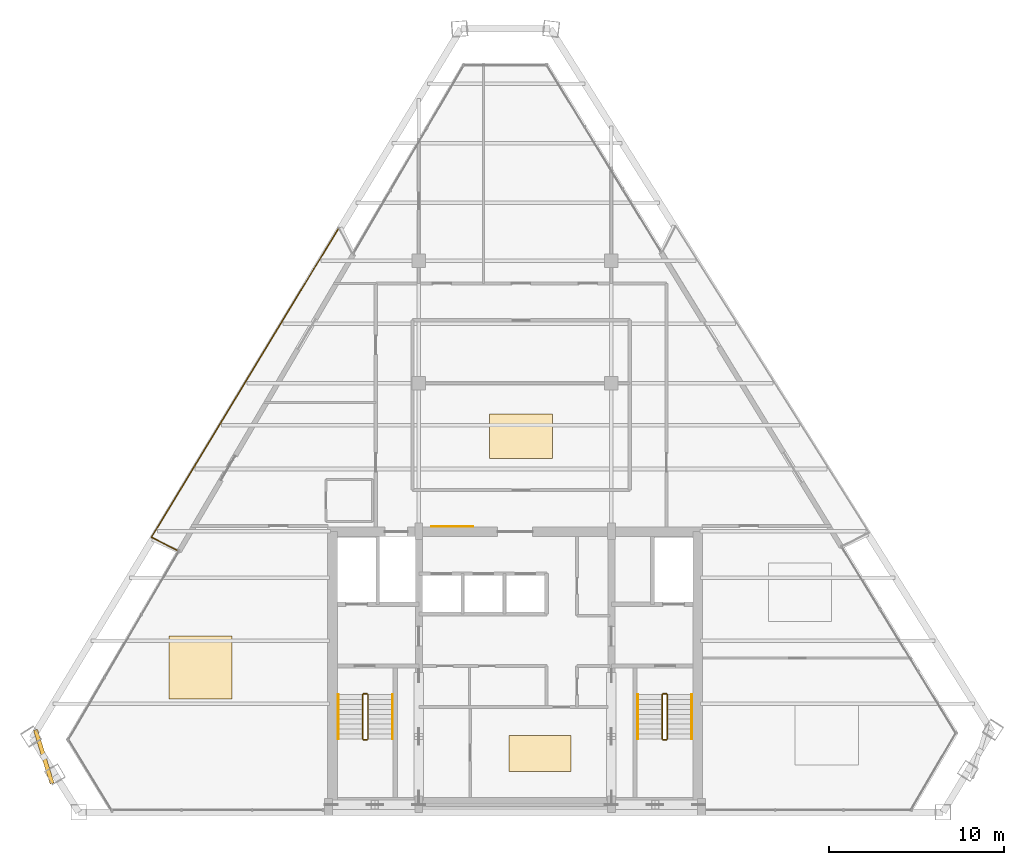
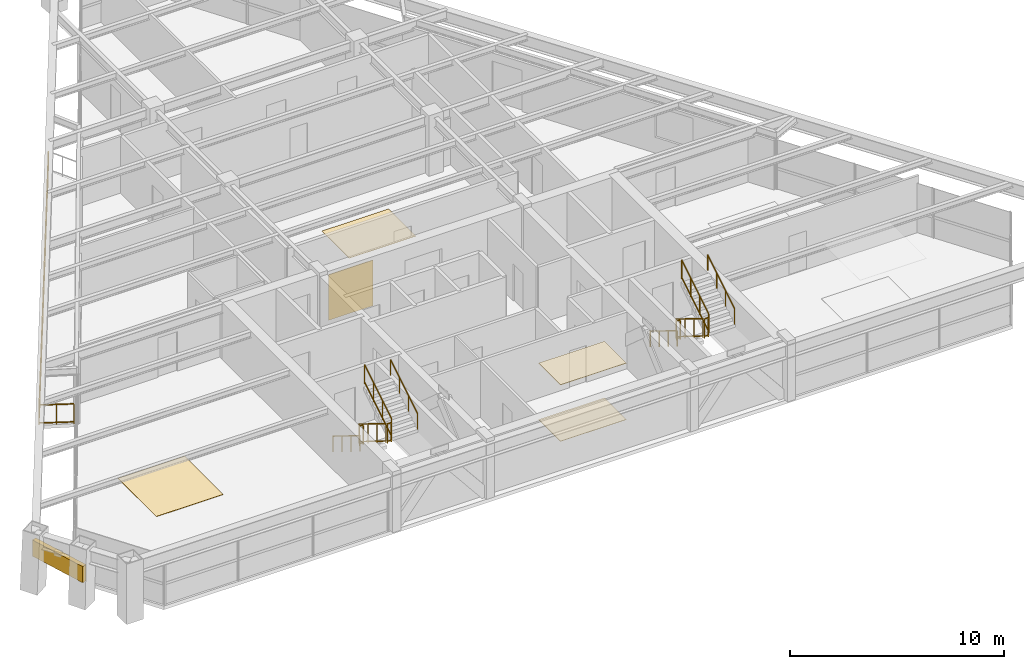
# One storey, part 12 of 13: 14 railings, 5 coverings, 1 shading device.
"""IFC4 building model written with IfcOpenShell, lengths in metres."""

import ifcopenshell
import ifcopenshell.guid

model = None  # the IFC model being written
_history = None  # IfcOwnerHistory: only IFC2X3 demands one
_inside = {}  # id of a spatial element -> (the spatial element, [elements in it])
_under = {}  # id of a project, library or spatial element -> (it, [spatial elements below it])
_declared = {}  # id of a project -> (the project, [libraries it declares])
_typed = {}  # id of a type object -> (the type object, [elements of that type])
_made_of = {}  # id of a material, layer set ... -> (it, [elements and type objects made of it])


def new_model(schema):
    """Start an empty IFC model of exactly this schema.

    Asked for "IFC4X3", IfcOpenShell would pick the latest addendum, in which some entities
    have other attributes; the version numbers below select the first issue.
    IFC2X3 requires an IfcOwnerHistory on every rooted entity: one is made here for all.
    """
    global model, _history
    if schema == "IFC4X3":
        model = ifcopenshell.file(schema_version=(4, 3, 0, 0))
    else:
        model = ifcopenshell.file(schema=schema)
    _inside.clear()
    _under.clear()
    _declared.clear()
    _typed.clear()
    _made_of.clear()
    _history = None
    if model.schema == "IFC2X3":
        org = make("IfcOrganization", Name="unknown")
        user = make(
            "IfcPersonAndOrganization",
            ThePerson=make("IfcPerson", FamilyName="unknown"),
            TheOrganization=org,
        )
        app = make(
            "IfcApplication",
            ApplicationDeveloper=org,
            Version="unknown",
            ApplicationFullName="unknown",
            ApplicationIdentifier="unknown",
        )
        _history = make(
            "IfcOwnerHistory",
            OwningUser=user,
            OwningApplication=app,
            ChangeAction="ADDED",
            CreationDate=0,
        )
    return model


def make(cls, **values):
    """One entity of the class cls with the attributes given. An attribute that is None is left unset."""
    return model.create_entity(
        cls, **{name: value for name, value in values.items() if value is not None}
    )


def rooted(cls, **values):
    """An entity with a GlobalId (a new one), such as an element, a storey or a relation."""
    return make(cls, GlobalId=ifcopenshell.guid.new(), OwnerHistory=_history, **values)


def si_unit(unit_type, name, prefix=None):
    """IfcSIUnit, for example si_unit("LENGTHUNIT", "METRE", prefix="MILLI")."""
    return make("IfcSIUnit", UnitType=unit_type, Prefix=prefix, Name=name)


def assignment(units):
    """IfcUnitAssignment: the units of a project."""
    return None if units is None else make("IfcUnitAssignment", Units=units)


def point(xyz):
    """IfcCartesianPoint."""
    return None if xyz is None else make("IfcCartesianPoint", Coordinates=xyz)


def direction(xyz):
    """IfcDirection."""
    return None if xyz is None else make("IfcDirection", DirectionRatios=xyz)


def frame(location, z_axis=None, x_axis=None):
    """IfcAxis2Placement3D, a coordinate frame: its origin and axes. An axis left out is left unset."""
    return make(
        "IfcAxis2Placement3D",
        Location=point(location),
        Axis=direction(z_axis),
        RefDirection=direction(x_axis),
    )


def frame_2d(location, x_axis=None):
    """IfcAxis2Placement2D, a coordinate frame in the plane: its origin and x axis."""
    return make(
        "IfcAxis2Placement2D", Location=point(location), RefDirection=direction(x_axis)
    )


def origin():
    """The frame at (0, 0, 0) with its axes left unset."""
    return frame((0.0, 0.0, 0.0))


def origin_2d():
    """The frame at (0, 0) in the plane with its x axis left unset."""
    return frame_2d((0.0, 0.0))


def place(relative_to, where):
    """IfcLocalPlacement: puts the frame where relative to a parent placement (None: the world)."""
    return make(
        "IfcLocalPlacement", PlacementRelTo=relative_to, RelativePlacement=where
    )


def context(
    kind, dimensions, precision=None, world=None, true_north=None, identifier=None
):
    """IfcGeometricRepresentationContext, for example the 3D "Model" context."""
    return make(
        "IfcGeometricRepresentationContext",
        ContextIdentifier=identifier,
        ContextType=kind,
        CoordinateSpaceDimension=dimensions,
        Precision=precision,
        WorldCoordinateSystem=world,
        TrueNorth=true_north,
    )


def subcontext(parent, identifier, kind, view, scale=None):
    """IfcGeometricRepresentationSubContext, for example "Body" below "Model"."""
    return make(
        "IfcGeometricRepresentationSubContext",
        ContextIdentifier=identifier,
        ContextType=kind,
        ParentContext=parent,
        TargetScale=scale,
        TargetView=view,
    )


def project(units=None, contexts=None):
    """IfcProject with its units and contexts."""
    return rooted(
        "IfcProject",
        Name="project",
        RepresentationContexts=contexts,
        UnitsInContext=assignment(units),
    )


def spatial(cls, under=None, at=None, **own):
    """A site, building, storey or space (cls), placed at a placement, below another one or the project."""
    s = rooted(cls, ObjectPlacement=at, **own)
    if under is not None:
        _under.setdefault(under.id(), (under, []))[1].append(s)
    return s


def profile(cls, at=None, kind="AREA", **sizes):
    """A parametric profile (cls). Its sizes go by their IFC names, for example OverallWidth=200.0."""
    return make(cls, ProfileType=kind, Position=at, **sizes)


def rectangle(**sizes):
    """IfcRectangleProfileDef."""
    return profile("IfcRectangleProfileDef", **sizes)


def extrude(swept, where, along, depth):
    """IfcExtrudedAreaSolid: the profile swept, set in the frame where, extruded along a direction by depth."""
    return make(
        "IfcExtrudedAreaSolid",
        SweptArea=swept,
        Position=where,
        ExtrudedDirection=direction(along),
        Depth=depth,
    )


def shape(context_of_items, identifier, shape_type, items):
    """IfcShapeRepresentation: the items that make up one representation, for example the "Body"."""
    return make(
        "IfcShapeRepresentation",
        ContextOfItems=context_of_items,
        RepresentationIdentifier=identifier,
        RepresentationType=shape_type,
        Items=items,
    )


def source(mapping_origin, context_of_items, identifier, shape_type, items):
    """IfcRepresentationMap: a shape defined once, which mapped items show again and again."""
    return make(
        "IfcRepresentationMap",
        MappingOrigin=mapping_origin,
        MappedRepresentation=shape(context_of_items, identifier, shape_type, items),
    )


def transform(
    local_origin,
    x_axis=None,
    y_axis=None,
    z_axis=None,
    scale=None,
    scale2=None,
    scale3=None,
    uniform=True,
):
    """IfcCartesianTransformationOperator3D, or its non-uniform kind. x_axis, y_axis, z_axis: its Axis1, 2, 3."""
    if uniform:
        return make(
            "IfcCartesianTransformationOperator3D",
            Axis1=direction(x_axis),
            Axis2=direction(y_axis),
            LocalOrigin=point(local_origin),
            Scale=scale,
            Axis3=direction(z_axis),
        )
    return make(
        "IfcCartesianTransformationOperator3DnonUniform",
        Axis1=direction(x_axis),
        Axis2=direction(y_axis),
        LocalOrigin=point(local_origin),
        Scale=scale,
        Axis3=direction(z_axis),
        Scale2=scale2,
        Scale3=scale3,
    )


def mapped(mapping_source, mapping_target):
    """IfcMappedItem: shows the shape of a source again, moved by a transform."""
    return make(
        "IfcMappedItem", MappingSource=mapping_source, MappingTarget=mapping_target
    )


def material(Name=None, Category=None):
    """IfcMaterial."""
    return make("IfcMaterial", Name=Name, Category=Category)


def layer(
    of_material, thickness, ventilated=None, Name=None, Category=None, Priority=None
):
    """IfcMaterialLayer: one layer of a wall or slab, of a material (None: an air gap)."""
    return make(
        "IfcMaterialLayer",
        Material=of_material,
        LayerThickness=thickness,
        IsVentilated=ventilated,
        Name=Name,
        Category=Category,
        Priority=Priority,
    )


def layer_set(layers, Name=None):
    """IfcMaterialLayerSet."""
    return make("IfcMaterialLayerSet", MaterialLayers=layers, LayerSetName=Name)


def made_of(thing, what):
    """Note that an element or type object is made of a material, layer set ...; save() writes the relation."""
    if what is not None:
        _made_of.setdefault(what.id(), (what, []))[1].append(thing)
    return thing


def type_object(cls, material=None, **own):
    """A type object (cls), such as IfcWallType, which elements share."""
    return made_of(rooted(cls, **own), material)


def type_shapes(of_type, sources):
    """Give a type object the sources (RepresentationMaps) that its elements show as mapped items."""
    of_type.RepresentationMaps = sources


def element(
    cls,
    number,
    at=None,
    inside=None,
    cuts=None,
    type_object=None,
    material=None,
    context=None,
    identifier="Body",
    shape_type=None,
    held_by="IfcProductDefinitionShape",
    body=None,
    shapes=None,
    **own,
):
    """One element of the class cls, such as IfcWall. Its Tag is "e" and its number.

    at: its placement. inside: the storey or other place that contains it. cuts: it is an
    opening in that element (IfcRelVoidsElement). A single representation is given by context,
    identifier, shape_type and body (its items); several are given by shapes. held_by: the class
    of the entity that holds the representations. save() writes the other relations.
    """
    e = rooted(cls, Tag="e%d" % number, ObjectPlacement=at, **own)
    if body is not None:
        shapes = [shape(context, identifier, shape_type, body)]
    if shapes is not None:
        e.Representation = make(held_by, Representations=shapes)
    if inside is not None:
        _inside.setdefault(inside.id(), (inside, []))[1].append(e)
    if cuts is not None:
        rooted(
            "IfcRelVoidsElement", RelatingBuildingElement=cuts, RelatedOpeningElement=e
        )
    if type_object is not None:
        _typed.setdefault(type_object.id(), (type_object, []))[1].append(e)
    return made_of(e, material)


def aggregate(whole, parts):
    """IfcRelAggregates: a whole, such as a stair, and the parts it consists of."""
    return rooted("IfcRelAggregates", RelatingObject=whole, RelatedObjects=parts)


def save(model, path):
    """Write the relations noted so far, then the file.

    IfcRelAggregates (storeys below a building ...), IfcRelContainedInSpatialStructure (elements
    in a storey), IfcRelDefinesByType, IfcRelAssociatesMaterial and IfcRelDeclares: one each for
    every whole, place, type object, material and project.
    """
    for whole, parts in _under.values():
        aggregate(whole, parts)
    for where, things in _inside.values():
        rooted(
            "IfcRelContainedInSpatialStructure",
            RelatedElements=things,
            RelatingStructure=where,
        )
    for kind, things in _typed.values():
        rooted("IfcRelDefinesByType", RelatedObjects=things, RelatingType=kind)
    for what, things in _made_of.values():
        rooted("IfcRelAssociatesMaterial", RelatedObjects=things, RelatingMaterial=what)
    for by, libraries in _declared.values():
        rooted("IfcRelDeclares", RelatingContext=by, RelatedDefinitions=libraries)
    model.write(path)


model = new_model("IFC4")

# Units and contexts
model_context = context("Model", 3, precision=1e-05, world=origin(), true_north=direction((0.0, 1.0)))
body_context = subcontext(model_context, "Body", "Model", "MODEL_VIEW")
ifc_project = project(units=[si_unit("LENGTHUNIT", "METRE"), si_unit("AREAUNIT", "SQUARE_METRE"), si_unit("VOLUMEUNIT", "CUBIC_METRE"), si_unit("PLANEANGLEUNIT", "RADIAN"), si_unit("MASSUNIT", "GRAM", prefix="KILO")], contexts=[model_context])

# Site, building, storey
site_placement = place(None, origin())
site = spatial("IfcSite", under=ifc_project, at=site_placement, CompositionType="ELEMENT")
building_placement = place(site_placement, origin())
building = spatial("IfcBuilding", under=site, at=building_placement, Name="Varnakhor Terracotta Tower", CompositionType="ELEMENT")
storey_placement = place(building_placement, frame((0.0, 0.0, 247.60009765625)))
storey = spatial("IfcBuildingStorey", under=building, at=storey_placement, Name="L64", CompositionType="ELEMENT", Elevation=247.60009765625)

# Railings
ifc_material_1 = material(Name="Stainless Steel & Laminated Glass Guardrail", Category="steel")
railing_type_1 = type_object("IfcRailingType", Name="RLG-LOGGIA-GUARD-1150", PredefinedType="GUARDRAIL", material=ifc_material_1)
railing_1_placement = place(storey_placement, frame((-19.30517578125, 14.9658203125, 0.0)))
element("IfcRailing", 1, at=railing_1_placement, inside=storey, type_object=railing_type_1, Name="L64 W Loggia Glass Guard 1", PredefinedType="GUARDRAIL", context=body_context, shape_type="SweptSolid", body=[
    extrude(rectangle(XDim=0.048095703125, YDim=0.048095703125, at=origin_2d()), frame((0.0, 0.0, 1.1259765625), z_axis=(-0.893320680917, 0.44941980491, 0.0), x_axis=(-0.44941980491, -0.893320680917, 0.0)), (0.0, 0.0, 1.0), 1.63671875),
    extrude(rectangle(XDim=0.048095703125, YDim=0.048095703125, at=origin_2d()), frame((0.0, 0.0, 0.10009765625), z_axis=(-0.893320680917, 0.44941980491, 0.0), x_axis=(-0.44941980491, -0.893320680917, 0.0)), (0.0, 0.0, 1.0), 1.63671875),
    extrude(rectangle(XDim=0.0419921875, YDim=0.0419921875, at=origin_2d()), origin(), (0.0, 0.0, 1.0), 1.101806640625),
    extrude(rectangle(XDim=0.0419921875, YDim=0.0419921875, at=origin_2d()), frame((-0.73095703125, 0.36767578125, 0.0)), (0.0, 0.0, 1.0), 1.101806640625),
    extrude(rectangle(XDim=0.0419921875, YDim=0.0419921875, at=origin_2d()), frame((-1.462158203125, 0.735595703125, 0.0)), (0.0, 0.0, 1.0), 1.101806640625),
])
railing_2_placement = place(storey_placement, frame((-20.767333984375, 15.701416015625, 0.0)))
element("IfcRailing", 2, at=railing_2_placement, inside=storey, type_object=railing_type_1, Name="L64 W Loggia Glass Guard 2", PredefinedType="GUARDRAIL", context=body_context, shape_type="SweptSolid", body=[
    extrude(rectangle(XDim=0.048095703125, YDim=0.048095703125, at=origin_2d()), frame((0.0, 0.0, 1.1259765625), z_axis=(0.518007048917, 0.855376348324, 0.0), x_axis=(-0.855376348324, 0.518007048917, 0.0)), (0.0, 0.0, 1.0), 20.65966796875),
    extrude(rectangle(XDim=0.048095703125, YDim=0.048095703125, at=origin_2d()), frame((0.0, 0.0, 0.10009765625), z_axis=(0.518007048917, 0.855376348324, 0.0), x_axis=(-0.855376348324, 0.518007048917, 0.0)), (0.0, 0.0, 1.0), 20.65966796875),
    extrude(rectangle(XDim=0.0419921875, YDim=0.0419921875, at=origin_2d()), origin(), (0.0, 0.0, 1.0), 1.101806640625),
    extrude(rectangle(XDim=0.0419921875, YDim=0.0419921875, at=origin_2d()), frame((0.71337890625, 1.17822265625, 0.0)), (0.0, 0.0, 1.0), 1.101806640625),
    extrude(rectangle(XDim=0.0419921875, YDim=0.0419921875, at=origin_2d()), frame((1.427001953125, 2.356201171875, 0.0)), (0.0, 0.0, 1.0), 1.101806640625),
    extrude(rectangle(XDim=0.0419921875, YDim=0.0419921875, at=origin_2d()), frame((2.140380859375, 3.534423828125, 0.0)), (0.0, 0.0, 1.0), 1.101806640625),
    extrude(rectangle(XDim=0.0419921875, YDim=0.0419921875, at=origin_2d()), frame((2.853759765625, 4.71240234375, 0.0)), (0.0, 0.0, 1.0), 1.101806640625),
    extrude(rectangle(XDim=0.0419921875, YDim=0.0419921875, at=origin_2d()), frame((3.5673828125, 5.890625, 0.0)), (0.0, 0.0, 1.0), 1.101806640625),
    extrude(rectangle(XDim=0.0419921875, YDim=0.0419921875, at=origin_2d()), frame((4.28076171875, 7.06884765625, 0.0)), (0.0, 0.0, 1.0), 1.101806640625),
    extrude(rectangle(XDim=0.0419921875, YDim=0.0419921875, at=origin_2d()), frame((4.994140625, 8.246826171875, 0.0)), (0.0, 0.0, 1.0), 1.101806640625),
    extrude(rectangle(XDim=0.0419921875, YDim=0.0419921875, at=origin_2d()), frame((5.707763671875, 9.425048828125, 0.0)), (0.0, 0.0, 1.0), 1.101806640625),
    extrude(rectangle(XDim=0.0419921875, YDim=0.0419921875, at=origin_2d()), frame((6.421142578125, 10.60302734375, 0.0)), (0.0, 0.0, 1.0), 1.101806640625),
    extrude(rectangle(XDim=0.0419921875, YDim=0.0419921875, at=origin_2d()), frame((7.134521484375, 11.78125, 0.0)), (0.0, 0.0, 1.0), 1.101806640625),
    extrude(rectangle(XDim=0.0419921875, YDim=0.0419921875, at=origin_2d()), frame((7.84814453125, 12.95947265625, 0.0)), (0.0, 0.0, 1.0), 1.101806640625),
    extrude(rectangle(XDim=0.0419921875, YDim=0.0419921875, at=origin_2d()), frame((8.5615234375, 14.137451171875, 0.0)), (0.0, 0.0, 1.0), 1.101806640625),
    extrude(rectangle(XDim=0.0419921875, YDim=0.0419921875, at=origin_2d()), frame((9.27490234375, 15.315673828125, 0.0)), (0.0, 0.0, 1.0), 1.101806640625),
    extrude(rectangle(XDim=0.0419921875, YDim=0.0419921875, at=origin_2d()), frame((9.988525390625, 16.49365234375, 0.0)), (0.0, 0.0, 1.0), 1.101806640625),
    extrude(rectangle(XDim=0.0419921875, YDim=0.0419921875, at=origin_2d()), frame((10.701904296875, 17.671875, 0.0)), (0.0, 0.0, 1.0), 1.101806640625),
])
ifc_material_2 = material(Name="Painted Steel Stairwell Guardrail", Category="steel")
railing_type_2 = type_object("IfcRailingType", Name="RLG-STAIR-GUARD-1120", PredefinedType="GUARDRAIL", material=ifc_material_2)
railing_3_placement = place(storey_placement, frame((-8.699951171875, 6.7099609375, 0.17236328125)))
element("IfcRailing", 3, at=railing_3_placement, inside=storey, type_object=railing_type_2, Name="L64 ST-1 stair guard 1", PredefinedType="GUARDRAIL", context=body_context, shape_type="SweptSolid", body=[
    extrude(rectangle(XDim=0.048095703125, YDim=0.048095703125, at=origin_2d()), frame((0.0, 0.0, 1.09619140625), z_axis=(0.0, -0.851400495292, 0.524516154772), x_axis=(1.0, 0.0, 0.0)), (0.0, 0.0, 1.0), 2.9599609375),
    extrude(rectangle(XDim=0.048095703125, YDim=0.048095703125, at=origin_2d()), frame((0.0, 0.0, 0.10009765625), z_axis=(0.0, -0.851400495292, 0.524516154772), x_axis=(1.0, 0.0, 0.0)), (0.0, 0.0, 1.0), 2.9599609375),
    extrude(rectangle(XDim=0.0419921875, YDim=0.0419921875, at=origin_2d()), origin(), (0.0, 0.0, 1.0), 1.072021484375),
    extrude(rectangle(XDim=0.0419921875, YDim=0.0419921875, at=origin_2d()), frame((0.0, -0.840087890625, 0.517578125)), (0.0, 0.0, 1.0), 1.072021484375),
    extrude(rectangle(XDim=0.0419921875, YDim=0.0419921875, at=origin_2d()), frame((0.0, -1.679931640625, 1.034912109375)), (0.0, 0.0, 1.0), 1.072021484375),
    extrude(rectangle(XDim=0.0419921875, YDim=0.0419921875, at=origin_2d()), frame((0.0, -2.52001953125, 1.552490234375)), (0.0, 0.0, 1.0), 1.072021484375),
])
railing_4_placement = place(storey_placement, frame((-8.64990234375, 4.139892578125, 1.724853515625)))
element("IfcRailing", 4, at=railing_4_placement, inside=storey, type_object=railing_type_2, Name="L64 ST-1 stair guard 2", PredefinedType="GUARDRAIL", context=body_context, shape_type="SweptSolid", body=[
    extrude(rectangle(XDim=0.048095703125, YDim=0.048095703125, at=origin_2d()), frame((0.0, 0.0, 1.09619140625), z_axis=(1.0, 0.0, 0.0), x_axis=(0.0, 1.0, 0.0)), (0.0, 0.0, 1.0), 0.199951171875),
    extrude(rectangle(XDim=0.048095703125, YDim=0.048095703125, at=origin_2d()), frame((0.0, 0.0, 0.10009765625), z_axis=(1.0, 0.0, 0.0), x_axis=(0.0, 1.0, 0.0)), (0.0, 0.0, 1.0), 0.199951171875),
    extrude(rectangle(XDim=0.0419921875, YDim=0.0419921875, at=origin_2d()), origin(), (0.0, 0.0, 1.0), 1.072021484375),
    extrude(rectangle(XDim=0.0419921875, YDim=0.0419921875, at=origin_2d()), frame((0.199951171875, 0.0, 0.0)), (0.0, 0.0, 1.0), 1.072021484375),
])
railing_5_placement = place(storey_placement, frame((-8.39990234375, 4.18994140625, 1.8974609375)))
element("IfcRailing", 5, at=railing_5_placement, inside=storey, type_object=railing_type_2, Name="L64 ST-1 stair guard 3", PredefinedType="GUARDRAIL", context=body_context, shape_type="SweptSolid", body=[
    extrude(rectangle(XDim=0.048095703125, YDim=0.048095703125, at=origin_2d()), frame((0.0, 0.0, 1.09619140625), z_axis=(0.0, 0.851400495292, 0.524516154772), x_axis=(-1.0, 0.0, 0.0)), (0.0, 0.0, 1.0), 2.9599609375),
    extrude(rectangle(XDim=0.048095703125, YDim=0.048095703125, at=origin_2d()), frame((0.0, 0.0, 0.10009765625), z_axis=(0.0, 0.851400495292, 0.524516154772), x_axis=(-1.0, 0.0, 0.0)), (0.0, 0.0, 1.0), 2.9599609375),
    extrude(rectangle(XDim=0.0419921875, YDim=0.0419921875, at=origin_2d()), origin(), (0.0, 0.0, 1.0), 1.072021484375),
    extrude(rectangle(XDim=0.0419921875, YDim=0.0419921875, at=origin_2d()), frame((0.0, 0.840087890625, 0.517578125)), (0.0, 0.0, 1.0), 1.072021484375),
    extrude(rectangle(XDim=0.0419921875, YDim=0.0419921875, at=origin_2d()), frame((0.0, 1.679931640625, 1.034912109375)), (0.0, 0.0, 1.0), 1.072021484375),
    extrude(rectangle(XDim=0.0419921875, YDim=0.0419921875, at=origin_2d()), frame((0.0, 2.52001953125, 1.552490234375)), (0.0, 0.0, 1.0), 1.072021484375),
])
railing_6_placement = place(storey_placement, frame((-8.64990234375, 6.760009765625, 0.0)))
element("IfcRailing", 6, at=railing_6_placement, inside=storey, type_object=railing_type_2, Name="L64 ST-1 stair guard 4", PredefinedType="GUARDRAIL", context=body_context, shape_type="SweptSolid", body=[
    extrude(rectangle(XDim=0.048095703125, YDim=0.048095703125, at=origin_2d()), frame((0.0, 0.0, 1.09619140625), z_axis=(1.0, 0.0, 0.0), x_axis=(0.0, 1.0, 0.0)), (0.0, 0.0, 1.0), 0.199951171875),
    extrude(rectangle(XDim=0.048095703125, YDim=0.048095703125, at=origin_2d()), frame((0.0, 0.0, 0.10009765625), z_axis=(1.0, 0.0, 0.0), x_axis=(0.0, 1.0, 0.0)), (0.0, 0.0, 1.0), 0.199951171875),
    extrude(rectangle(XDim=0.0419921875, YDim=0.0419921875, at=origin_2d()), origin(), (0.0, 0.0, 1.0), 1.072021484375),
    extrude(rectangle(XDim=0.0419921875, YDim=0.0419921875, at=origin_2d()), frame((0.199951171875, 0.0, 0.0)), (0.0, 0.0, 1.0), 1.072021484375),
])
railing_7_placement = place(storey_placement, frame((8.39990234375, 6.7099609375, 0.17236328125)))
element("IfcRailing", 7, at=railing_7_placement, inside=storey, type_object=railing_type_2, Name="L64 ST-2 stair guard 1", PredefinedType="GUARDRAIL", context=body_context, shape_type="SweptSolid", body=[
    extrude(rectangle(XDim=0.048095703125, YDim=0.048095703125, at=origin_2d()), frame((0.0, 0.0, 1.09619140625), z_axis=(0.0, -0.851400495292, 0.524516154772), x_axis=(1.0, 0.0, 0.0)), (0.0, 0.0, 1.0), 2.9599609375),
    extrude(rectangle(XDim=0.048095703125, YDim=0.048095703125, at=origin_2d()), frame((0.0, 0.0, 0.10009765625), z_axis=(0.0, -0.851400495292, 0.524516154772), x_axis=(1.0, 0.0, 0.0)), (0.0, 0.0, 1.0), 2.9599609375),
    extrude(rectangle(XDim=0.0419921875, YDim=0.0419921875, at=origin_2d()), origin(), (0.0, 0.0, 1.0), 1.072021484375),
    extrude(rectangle(XDim=0.0419921875, YDim=0.0419921875, at=origin_2d()), frame((0.0, -0.840087890625, 0.517578125)), (0.0, 0.0, 1.0), 1.072021484375),
    extrude(rectangle(XDim=0.0419921875, YDim=0.0419921875, at=origin_2d()), frame((0.0, -1.679931640625, 1.034912109375)), (0.0, 0.0, 1.0), 1.072021484375),
    extrude(rectangle(XDim=0.0419921875, YDim=0.0419921875, at=origin_2d()), frame((0.0, -2.52001953125, 1.552490234375)), (0.0, 0.0, 1.0), 1.072021484375),
])
railing_8_placement = place(storey_placement, frame((8.449951171875, 4.139892578125, 1.724853515625)))
element("IfcRailing", 8, at=railing_8_placement, inside=storey, type_object=railing_type_2, Name="L64 ST-2 stair guard 2", PredefinedType="GUARDRAIL", context=body_context, shape_type="SweptSolid", body=[
    extrude(rectangle(XDim=0.048095703125, YDim=0.048095703125, at=origin_2d()), frame((0.0, 0.0, 1.09619140625), z_axis=(1.0, 0.0, 0.0), x_axis=(0.0, 1.0, 0.0)), (0.0, 0.0, 1.0), 0.199951171875),
    extrude(rectangle(XDim=0.048095703125, YDim=0.048095703125, at=origin_2d()), frame((0.0, 0.0, 0.10009765625), z_axis=(1.0, 0.0, 0.0), x_axis=(0.0, 1.0, 0.0)), (0.0, 0.0, 1.0), 0.199951171875),
    extrude(rectangle(XDim=0.0419921875, YDim=0.0419921875, at=origin_2d()), origin(), (0.0, 0.0, 1.0), 1.072021484375),
    extrude(rectangle(XDim=0.0419921875, YDim=0.0419921875, at=origin_2d()), frame((0.199951171875, 0.0, 0.0)), (0.0, 0.0, 1.0), 1.072021484375),
])
railing_9_placement = place(storey_placement, frame((8.699951171875, 4.18994140625, 1.8974609375)))
element("IfcRailing", 9, at=railing_9_placement, inside=storey, type_object=railing_type_2, Name="L64 ST-2 stair guard 3", PredefinedType="GUARDRAIL", context=body_context, shape_type="SweptSolid", body=[
    extrude(rectangle(XDim=0.048095703125, YDim=0.048095703125, at=origin_2d()), frame((0.0, 0.0, 1.09619140625), z_axis=(0.0, 0.851400495292, 0.524516154772), x_axis=(-1.0, 0.0, 0.0)), (0.0, 0.0, 1.0), 2.9599609375),
    extrude(rectangle(XDim=0.048095703125, YDim=0.048095703125, at=origin_2d()), frame((0.0, 0.0, 0.10009765625), z_axis=(0.0, 0.851400495292, 0.524516154772), x_axis=(-1.0, 0.0, 0.0)), (0.0, 0.0, 1.0), 2.9599609375),
    extrude(rectangle(XDim=0.0419921875, YDim=0.0419921875, at=origin_2d()), origin(), (0.0, 0.0, 1.0), 1.072021484375),
    extrude(rectangle(XDim=0.0419921875, YDim=0.0419921875, at=origin_2d()), frame((0.0, 0.840087890625, 0.517578125)), (0.0, 0.0, 1.0), 1.072021484375),
    extrude(rectangle(XDim=0.0419921875, YDim=0.0419921875, at=origin_2d()), frame((0.0, 1.679931640625, 1.034912109375)), (0.0, 0.0, 1.0), 1.072021484375),
    extrude(rectangle(XDim=0.0419921875, YDim=0.0419921875, at=origin_2d()), frame((0.0, 2.52001953125, 1.552490234375)), (0.0, 0.0, 1.0), 1.072021484375),
])
railing_10_placement = place(storey_placement, frame((8.449951171875, 6.760009765625, 0.0)))
element("IfcRailing", 10, at=railing_10_placement, inside=storey, type_object=railing_type_2, Name="L64 ST-2 stair guard 4", PredefinedType="GUARDRAIL", context=body_context, shape_type="SweptSolid", body=[
    extrude(rectangle(XDim=0.048095703125, YDim=0.048095703125, at=origin_2d()), frame((0.0, 0.0, 1.09619140625), z_axis=(1.0, 0.0, 0.0), x_axis=(0.0, 1.0, 0.0)), (0.0, 0.0, 1.0), 0.199951171875),
    extrude(rectangle(XDim=0.048095703125, YDim=0.048095703125, at=origin_2d()), frame((0.0, 0.0, 0.10009765625), z_axis=(1.0, 0.0, 0.0), x_axis=(0.0, 1.0, 0.0)), (0.0, 0.0, 1.0), 0.199951171875),
    extrude(rectangle(XDim=0.0419921875, YDim=0.0419921875, at=origin_2d()), origin(), (0.0, 0.0, 1.0), 1.072021484375),
    extrude(rectangle(XDim=0.0419921875, YDim=0.0419921875, at=origin_2d()), frame((0.199951171875, 0.0, 0.0)), (0.0, 0.0, 1.0), 1.072021484375),
])
ifc_material_3 = material(Name="Brushed Stainless Steel Handrail", Category="steel")
railing_type_3 = type_object("IfcRailingType", Name="RLG-STAIR-HANDRAIL-920", PredefinedType="HANDRAIL", material=ifc_material_3)
railing_11_placement = place(storey_placement, frame((-10.10009765625, 6.7099609375, 0.17236328125)))
element("IfcRailing", 11, at=railing_11_placement, inside=storey, type_object=railing_type_3, Name="L64 ST-1 stair handrail 1", PredefinedType="HANDRAIL", context=body_context, shape_type="SweptSolid", body=[
    extrude(rectangle(XDim=0.048095703125, YDim=0.048095703125, at=origin_2d()), frame((0.0, 0.0, 0.89599609375), z_axis=(0.0, -0.851400495292, 0.524516154772), x_axis=(1.0, 0.0, 0.0)), (0.0, 0.0, 1.0), 2.9599609375),
    extrude(rectangle(XDim=0.0419921875, YDim=0.0419921875, at=origin_2d()), origin(), (0.0, 0.0, 1.0), 0.871826171875),
    extrude(rectangle(XDim=0.0419921875, YDim=0.0419921875, at=origin_2d()), frame((0.0, -0.840087890625, 0.517578125)), (0.0, 0.0, 1.0), 0.871826171875),
    extrude(rectangle(XDim=0.0419921875, YDim=0.0419921875, at=origin_2d()), frame((0.0, -1.679931640625, 1.034912109375)), (0.0, 0.0, 1.0), 0.871826171875),
    extrude(rectangle(XDim=0.0419921875, YDim=0.0419921875, at=origin_2d()), frame((0.0, -2.52001953125, 1.552490234375)), (0.0, 0.0, 1.0), 0.871826171875),
])
railing_12_placement = place(storey_placement, frame((-7.0, 4.18994140625, 1.8974609375)))
element("IfcRailing", 12, at=railing_12_placement, inside=storey, type_object=railing_type_3, Name="L64 ST-1 stair handrail 2", PredefinedType="HANDRAIL", context=body_context, shape_type="SweptSolid", body=[
    extrude(rectangle(XDim=0.048095703125, YDim=0.048095703125, at=origin_2d()), frame((0.0, 0.0, 0.89599609375), z_axis=(0.0, 0.851400495292, 0.524516154772), x_axis=(-1.0, 0.0, 0.0)), (0.0, 0.0, 1.0), 2.9599609375),
    extrude(rectangle(XDim=0.0419921875, YDim=0.0419921875, at=origin_2d()), origin(), (0.0, 0.0, 1.0), 0.871826171875),
    extrude(rectangle(XDim=0.0419921875, YDim=0.0419921875, at=origin_2d()), frame((0.0, 0.840087890625, 0.517578125)), (0.0, 0.0, 1.0), 0.871826171875),
    extrude(rectangle(XDim=0.0419921875, YDim=0.0419921875, at=origin_2d()), frame((0.0, 1.679931640625, 1.034912109375)), (0.0, 0.0, 1.0), 0.871826171875),
    extrude(rectangle(XDim=0.0419921875, YDim=0.0419921875, at=origin_2d()), frame((0.0, 2.52001953125, 1.552490234375)), (0.0, 0.0, 1.0), 0.871826171875),
])
railing_13_placement = place(storey_placement, frame((7.0, 6.7099609375, 0.17236328125)))
element("IfcRailing", 13, at=railing_13_placement, inside=storey, type_object=railing_type_3, Name="L64 ST-2 stair handrail 1", PredefinedType="HANDRAIL", context=body_context, shape_type="SweptSolid", body=[
    extrude(rectangle(XDim=0.048095703125, YDim=0.048095703125, at=origin_2d()), frame((0.0, 0.0, 0.89599609375), z_axis=(0.0, -0.851400495292, 0.524516154772), x_axis=(1.0, 0.0, 0.0)), (0.0, 0.0, 1.0), 2.9599609375),
    extrude(rectangle(XDim=0.0419921875, YDim=0.0419921875, at=origin_2d()), origin(), (0.0, 0.0, 1.0), 0.871826171875),
    extrude(rectangle(XDim=0.0419921875, YDim=0.0419921875, at=origin_2d()), frame((0.0, -0.840087890625, 0.517578125)), (0.0, 0.0, 1.0), 0.871826171875),
    extrude(rectangle(XDim=0.0419921875, YDim=0.0419921875, at=origin_2d()), frame((0.0, -1.679931640625, 1.034912109375)), (0.0, 0.0, 1.0), 0.871826171875),
    extrude(rectangle(XDim=0.0419921875, YDim=0.0419921875, at=origin_2d()), frame((0.0, -2.52001953125, 1.552490234375)), (0.0, 0.0, 1.0), 0.871826171875),
])
railing_14_placement = place(storey_placement, frame((10.10009765625, 4.18994140625, 1.8974609375)))
element("IfcRailing", 14, at=railing_14_placement, inside=storey, type_object=railing_type_3, Name="L64 ST-2 stair handrail 2", PredefinedType="HANDRAIL", context=body_context, shape_type="SweptSolid", body=[
    extrude(rectangle(XDim=0.048095703125, YDim=0.048095703125, at=origin_2d()), frame((0.0, 0.0, 0.89599609375), z_axis=(0.0, 0.851400495292, 0.524516154772), x_axis=(-1.0, 0.0, 0.0)), (0.0, 0.0, 1.0), 2.9599609375),
    extrude(rectangle(XDim=0.0419921875, YDim=0.0419921875, at=origin_2d()), origin(), (0.0, 0.0, 1.0), 0.871826171875),
    extrude(rectangle(XDim=0.0419921875, YDim=0.0419921875, at=origin_2d()), frame((0.0, 0.840087890625, 0.517578125)), (0.0, 0.0, 1.0), 0.871826171875),
    extrude(rectangle(XDim=0.0419921875, YDim=0.0419921875, at=origin_2d()), frame((0.0, 1.679931640625, 1.034912109375)), (0.0, 0.0, 1.0), 0.871826171875),
    extrude(rectangle(XDim=0.0419921875, YDim=0.0419921875, at=origin_2d()), frame((0.0, 2.52001953125, 1.552490234375)), (0.0, 0.0, 1.0), 0.871826171875),
])

# Shading device
ifc_material_4 = material(Name="Extruded Architectural Terracotta Screen", Category="masonry")
shading_device_type = type_object("IfcShadingDeviceType", Name="TERRACOTTA SOLAR SCREEN W", PredefinedType="USERDEFINED", material=ifc_material_4)
shared_shape_1 = source(origin(), body_context, "Body", "SweptSolid", [
    extrude(rectangle(XDim=3.199951171875, YDim=0.239990234375, at=origin_2d()), origin(), (0.0, 0.0, 1.0), 0.919921875),
])
type_shapes(shading_device_type, [shared_shape_1])
shading_device_placement = place(storey_placement, frame((-26.9130859375, 3.168212890625, 1.56201171875), z_axis=(0.0, 0.0, 1.0), x_axis=(0.294907654239, -0.955525758665, 0.0)))
element("IfcShadingDevice", 15, at=shading_device_placement, inside=storey, type_object=shading_device_type, Name="L64 W Terracotta Solar Screen", ObjectType="SCREEN", PredefinedType="USERDEFINED", context=body_context, shape_type="MappedRepresentation", body=[
    mapped(shared_shape_1, transform((0.0, 0.0, 0.0), scale=1.0)),
])

# Coverings
ifc_material_5 = material(Name="Extruded Architectural Terracotta Cladding", Category="masonry")
ifc_layer_1 = layer(ifc_material_5, 0.044921875, Name="Extruded Architectural Terracotta Cladding")
ifc_layer_set_1 = layer_set([ifc_layer_1], Name="Extruded Architectural Terracotta Cladding")
covering_type_1 = type_object("IfcCoveringType", Name="COV-CLAD-TERRACOTTA", PredefinedType="CLADDING", material=ifc_layer_set_1)
shared_shape_2 = source(origin(), body_context, "Body", "SweptSolid", [
    extrude(rectangle(XDim=2.39990234375, YDim=0.030029296875, at=origin_2d()), origin(), (0.0, 0.0, 1.0), 2.60009765625),
])
type_shapes(covering_type_1, [shared_shape_2])
covering_1_placement = place(storey_placement, frame((-3.60009765625, 16.31201171875, -0.000244140625), z_axis=(0.0, 0.0, 1.0), x_axis=(1.0, 0.0, 0.0)))
element("IfcCovering", 16, at=covering_1_placement, inside=storey, type_object=covering_type_1, Name="L64 Core Lobby Limestone Cladding", PredefinedType="CLADDING", context=body_context, shape_type="MappedRepresentation", body=[
    mapped(shared_shape_2, transform((0.0, 0.0, 0.0), scale=1.0)),
])
ifc_material_6 = material(Name="Honed Riyadh Limestone Flooring", Category="masonry")
ifc_layer_2 = layer(ifc_material_6, 0.030029296875, Name="Honed Riyadh Limestone Flooring")
ifc_layer_set_2 = layer_set([ifc_layer_2], Name="Honed Riyadh Limestone Flooring")
covering_type_2 = type_object("IfcCoveringType", Name="COV-FLOOR-LIMESTONE", PredefinedType="FLOORING", material=ifc_layer_set_2)
shared_shape_3 = source(origin(), body_context, "Body", "SweptSolid", [
    extrude(rectangle(XDim=3.60009765625, YDim=3.60009765625, at=origin_2d()), origin(), (0.0, 0.0, 1.0), 0.02001953125),
])
covering_2_placement = place(storey_placement, frame((-17.967041015625, 8.26611328125, 0.0), z_axis=(0.0, 0.0, 1.0), x_axis=(1.0, 0.0, 0.0)))
element("IfcCovering", 17, at=covering_2_placement, inside=storey, type_object=covering_type_2, Name="L64 Honed Stone Flooring 3", PredefinedType="FLOORING", context=body_context, shape_type="MappedRepresentation", body=[
    mapped(shared_shape_3, transform((0.0, 0.0, 0.0), scale=1.0)),
])
shared_shape_4 = source(origin(), body_context, "Body", "SweptSolid", [
    extrude(rectangle(XDim=3.547119140625, YDim=2.041015625, at=origin_2d()), origin(), (0.0, 0.0, 1.0), 0.02001953125),
])
covering_3_placement = place(storey_placement, frame((1.4150390625, 3.35498046875, 0.0), z_axis=(0.0, 0.0, 1.0), x_axis=(1.0, 0.0, 0.0)))
element("IfcCovering", 18, at=covering_3_placement, inside=storey, type_object=covering_type_2, Name="L64 Honed Stone Flooring 1", PredefinedType="FLOORING", context=body_context, shape_type="MappedRepresentation", body=[
    mapped(shared_shape_4, transform((0.0, 0.0, 0.0), scale=1.0)),
])
ifc_material_7 = material(Name="Perforated Acoustic Mineral-Fibre Ceiling", Category="gypsum")
ifc_layer_3 = layer(ifc_material_7, 0.02490234375, Name="Perforated Acoustic Mineral-Fibre Ceiling")
ifc_layer_set_3 = layer_set([ifc_layer_3], Name="Perforated Acoustic Mineral-Fibre Ceiling")
covering_type_3 = type_object("IfcCoveringType", Name="COV-CEILING-ACOUSTIC", PredefinedType="CEILING", material=ifc_layer_set_3)
shared_shape_5 = source(origin(), body_context, "Body", "SweptSolid", [
    extrude(rectangle(XDim=3.547119140625, YDim=2.041015625, at=origin_2d()), origin(), (0.0, 0.0, 1.0), 0.02392578125),
])
covering_4_placement = place(storey_placement, frame((1.4150390625, 3.35498046875, 3.2158203125), z_axis=(0.0, 0.0, 1.0), x_axis=(1.0, 0.0, 0.0)))
element("IfcCovering", 19, at=covering_4_placement, inside=storey, type_object=covering_type_3, Name="L64 Acoustic Ceiling Panel 1", PredefinedType="CEILING", context=body_context, shape_type="MappedRepresentation", body=[
    mapped(shared_shape_5, transform((0.0, 0.0, 0.0), scale=1.0)),
])
shared_shape_6 = source(origin(), body_context, "Body", "SweptSolid", [
    extrude(rectangle(XDim=3.60009765625, YDim=2.5439453125, at=origin_2d()), origin(), (0.0, 0.0, 1.0), 0.02001953125),
])
covering_5_placement = place(storey_placement, frame((0.35009765625, 21.4609375, 0.0), z_axis=(0.0, 0.0, 1.0), x_axis=(1.0, 0.0, 0.0)))
element("IfcCovering", 20, at=covering_5_placement, inside=storey, type_object=covering_type_2, Name="L64 Honed Stone Flooring 5", PredefinedType="FLOORING", context=body_context, shape_type="MappedRepresentation", body=[
    mapped(shared_shape_6, transform((0.0, 0.0, 0.0), scale=1.0)),
])

save(model, "model.ifc")
